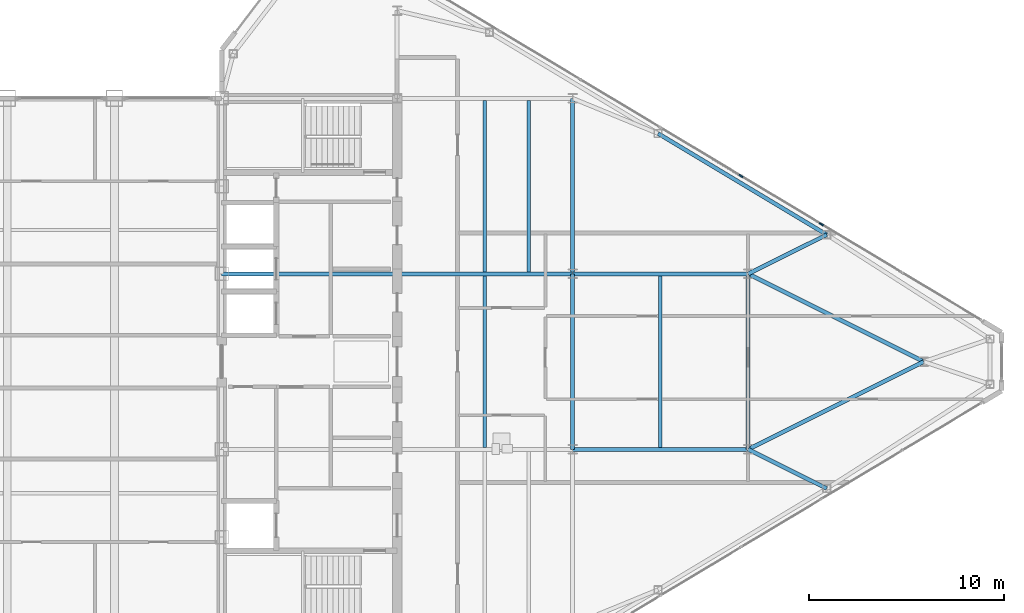
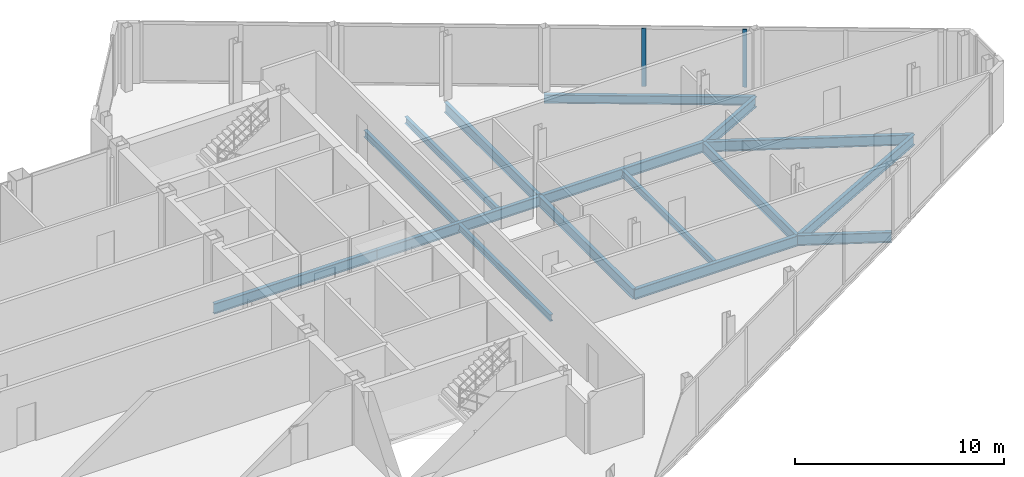
# One storey, part 15 of 29: 16 beams, 2 members, 1 element without a shape of its own.
"""IFC4 building model written with IfcOpenShell, lengths in metres."""

from ifc_helpers import new_model, si_unit, direction, frame, origin, origin_2d, place, context, subcontext, project, spatial, rectangle, i_section, extrude, source, transform, mapped, material, layer, layer_set, material_profile, profile_set, type_object, type_shapes, element, aggregate, save


model = new_model("IFC4")

# Units and contexts
model_context = context("Model", 3, precision=1e-05, world=origin(), true_north=direction((0.0, 1.0)))
body_context = subcontext(model_context, "Body", "Model", "MODEL_VIEW")
ifc_project = project(units=[si_unit("LENGTHUNIT", "METRE"), si_unit("AREAUNIT", "SQUARE_METRE"), si_unit("VOLUMEUNIT", "CUBIC_METRE"), si_unit("PLANEANGLEUNIT", "RADIAN"), si_unit("MASSUNIT", "GRAM", prefix="KILO")], contexts=[model_context])

# Site, building, storey
site_placement = place(None, origin())
site = spatial("IfcSite", under=ifc_project, at=site_placement, CompositionType="ELEMENT")
building_placement = place(site_placement, origin())
building = spatial("IfcBuilding", under=site, at=building_placement, Name="Seokmaru Belvedere", CompositionType="ELEMENT")
storey_placement = place(building_placement, frame((0.0, 0.0, 243.14990234375)))
storey = spatial("IfcBuildingStorey", under=building, at=storey_placement, Name="L64", CompositionType="ELEMENT", Elevation=243.14990234375)

# Beams
ifc_material_1 = material(Name="Steel SM355 (355 MPa)", Category="steel")
ifc_material_profile_1 = material_profile(ifc_material_1, i_section(OverallWidth=0.199951171875, OverallDepth=0.60009765625, WebThickness=0.010986328125, FlangeThickness=0.01708984375, at=origin_2d()), Name="H-600x200x11x17")
ifc_profile_set_1 = profile_set([ifc_material_profile_1], Name="Steel SM355 (355 MPa)")
beam_type_1 = type_object("IfcBeamType", Name="Primary Floor Girder H-600", PredefinedType="BEAM", material=ifc_profile_set_1)
shared_shape_1 = source(origin(), body_context, "Body", "SweptSolid", [
    extrude(i_section(OverallWidth=0.199951171875, OverallDepth=0.60009765625, WebThickness=0.010986328125, FlangeThickness=0.01708984375, at=origin_2d()), origin(), (0.0, 0.0, 1.0), 9.0),
])
for number, where, z_axis, x_axis, name in (
    (1, (45.5, -4.5, -0.52001953125), (0.0, 1.0, 0.0), (-1.0, 0.0, 0.0), "L64 E Interior Grid Girder 2"),
    (2, (45.5, 4.5, -0.52001953125), (0.0, 1.0, 0.0), (-1.0, 0.0, 0.0), "L64 E Interior Grid Girder 3"),
    (3, (27.5, 4.5, -0.52001953125), (1.0, 0.0, 0.0), (0.0, 1.0, 0.0), "L64 E Core Tie Girder 3"),
    (4, (36.5, 4.5, -0.52001953125), (1.0, 0.0, 0.0), (0.0, 1.0, 0.0), "L64 E Wing Primary Girder 3"),
    (5, (45.5, -4.5, -0.52001953125), (1.0, 0.0, 0.0), (0.0, 1.0, 0.0), "L64 E Outer Wing Girder 1"),
    (6, (45.5, 4.5, -0.52001953125), (1.0, 0.0, 0.0), (0.0, 1.0, 0.0), "L64 E Outer Wing Girder 2"),
    (7, (54.5, -4.5, -0.52001953125), (0.0, 1.0, 0.0), (-1.0, 0.0, 0.0), "L64 E Apex Frame Girder"),
):
    element("IfcBeam", number, at=place(storey_placement, frame(where, z_axis=z_axis, x_axis=x_axis)), inside=storey, type_object=beam_type_1, Name=name, PredefinedType="BEAM", context=body_context, shape_type="MappedRepresentation", body=[
        mapped(shared_shape_1, transform((0.0, 0.0, 0.0), scale=1.0)),
    ])
shared_shape_2 = source(origin(), body_context, "Body", "SweptSolid", [
    extrude(i_section(OverallWidth=0.199951171875, OverallDepth=0.60009765625, WebThickness=0.010986328125, FlangeThickness=0.01708984375, at=origin_2d()), origin(), (0.0, 0.0, 1.0), 10.062255859375),
])
for number, where, z_axis, x_axis, name in (
    (8, (54.5, -4.5, -0.52001953125), (0.894427191, 0.4472135955, 0.0), (-0.4472135955, 0.894427191, 0.0), "L64 E Apex Converging Girder 1"),
    (9, (54.5, 4.5, -0.52001953125), (0.894427191, -0.4472135955, 0.0), (0.4472135955, 0.894427191, 0.0), "L64 E Apex Converging Girder 2"),
):
    element("IfcBeam", number, at=place(storey_placement, frame(where, z_axis=z_axis, x_axis=x_axis)), inside=storey, type_object=beam_type_1, Name=name, PredefinedType="BEAM", context=body_context, shape_type="MappedRepresentation", body=[
        mapped(shared_shape_2, transform((0.0, 0.0, 0.0), scale=1.0)),
    ])
ifc_material_profile_2 = material_profile(ifc_material_1, i_section(OverallWidth=0.18505859375, OverallDepth=0.389892578125, WebThickness=0.008056640625, FlangeThickness=0.011962890625, at=origin_2d()), Name="H-390x185x8x12")
ifc_profile_set_2 = profile_set([ifc_material_profile_2], Name="Steel SM355 (355 MPa)")
beam_type_2 = type_object("IfcBeamType", Name="Secondary Floor Joist H-350", PredefinedType="JOIST", material=ifc_profile_set_2)
shared_shape_3 = source(origin(), body_context, "Body", "SweptSolid", [
    extrude(i_section(OverallWidth=0.18505859375, OverallDepth=0.389892578125, WebThickness=0.008056640625, FlangeThickness=0.011962890625, at=origin_2d()), origin(), (0.0, 0.0, 1.0), 8.7900390625),
])
type_shapes(beam_type_2, [shared_shape_3])
for number, where, z_axis, x_axis, name in (
    (10, (43.25, 4.60498046875, -0.414794921875), (0.0, 1.0, 0.0), (-1.0, 0.0, 0.0), "L64 E Wing Inner Secondary Joist 2"),
    (11, (41.0, -4.39501953125, -0.414794921875), (0.0, 1.0, 0.0), (-1.0, 0.0, 0.0), "L64 E Secondary Floor Joist 2"),
    (12, (41.0, 4.60498046875, -0.414794921875), (0.0, 1.0, 0.0), (-1.0, 0.0, 0.0), "L64 E Secondary Floor Joist 3"),
    (13, (50.0, -4.39501953125, -0.414794921875), (0.0, 1.0, 0.0), (-1.0, 0.0, 0.0), "L64 E Outer Bay Secondary Joist"),
):
    element("IfcBeam", number, at=place(storey_placement, frame(where, z_axis=z_axis, x_axis=x_axis)), inside=storey, type_object=beam_type_2, Name=name, PredefinedType="JOIST", context=body_context, shape_type="MappedRepresentation", body=[
        mapped(shared_shape_3, transform((0.0, 0.0, 0.0), scale=1.0)),
    ])
ifc_material_profile_3 = material_profile(ifc_material_1, i_section(OverallWidth=0.199951171875, OverallDepth=0.5, WebThickness=0.010009765625, FlangeThickness=0.01611328125, at=origin_2d()), Name="H-500x200x10x16")
ifc_profile_set_3 = profile_set([ifc_material_profile_3], Name="Steel SM355 (355 MPa)")
beam_type_3 = type_object("IfcBeamType", Name="Perimeter Spandrel Beam H-500", PredefinedType="SPANDREL", material=ifc_profile_set_3)
shared_shape_4 = source(origin(), body_context, "Body", "SweptSolid", [
    extrude(i_section(OverallWidth=0.199951171875, OverallDepth=0.5, WebThickness=0.010009765625, FlangeThickness=0.01611328125, at=origin_2d()), origin(), (0.0, 0.0, 1.0), 10.087646484375),
])
type_shapes(beam_type_3, [shared_shape_4])
beam_placement = place(storey_placement, frame((49.8798828125, 11.698974609375, -0.469970703125), z_axis=(0.857488654804, -0.514502873542, 0.0), x_axis=(0.514502873542, 0.857488654804, 0.0)))
element("IfcBeam", 14, at=beam_placement, inside=storey, type_object=beam_type_3, Name="L64 E Faceted Flank Spandrel N-3", PredefinedType="SPANDREL", context=body_context, shape_type="MappedRepresentation", body=[
    mapped(shared_shape_4, transform((0.0, 0.0, 0.0), scale=1.0)),
])
shared_shape_5 = source(origin(), body_context, "Body", "SweptSolid", [
    extrude(i_section(OverallWidth=0.199951171875, OverallDepth=0.60009765625, WebThickness=0.010986328125, FlangeThickness=0.01708984375, at=origin_2d()), origin(), (0.0, 0.0, 1.0), 4.5029296875),
])
type_shapes(beam_type_1, [shared_shape_1, shared_shape_2, shared_shape_5])
for number, where, z_axis, x_axis, name in (
    (15, (58.530029296875, -6.5087890625, -0.52001953125), (-0.894979532585, 0.446107202648, 0.0), (-0.446107202648, -0.894979532585, 0.0), "L64 E Flank Radial Floor Girder S-3"),
    (16, (58.530029296875, 6.5087890625, -0.52001953125), (-0.894979532585, -0.446107202648, 0.0), (0.446107202648, -0.894979532585, 0.0), "L64 E Flank Radial Floor Girder N-3"),
):
    element("IfcBeam", number, at=place(storey_placement, frame(where, z_axis=z_axis, x_axis=x_axis)), inside=storey, type_object=beam_type_1, Name=name, PredefinedType="BEAM", context=body_context, shape_type="MappedRepresentation", body=[
        mapped(shared_shape_5, transform((0.0, 0.0, 0.0), scale=1.0)),
    ])

# Curtain wall, members
ifc_material_2 = material(Name="Bronze Triple Insulating Glass", Category="glass")
ifc_layer = layer(ifc_material_2, 0.219970703125)
ifc_layer_set = layer_set([ifc_layer], Name="Bronze Triple Insulating Glass")
curtain_wall_type = type_object("IfcCurtainWallType", Name="Sky-Gate Bridge Panorama Curtain Wall System CW-6", PredefinedType="NOTDEFINED", material=ifc_layer_set)
curtain_wall_placement = place(storey_placement, origin())
curtain_wall = element("IfcCurtainWall", 17, at=curtain_wall_placement, inside=storey, type_object=curtain_wall_type, Name="L64 Curtain Wall EF3", PredefinedType="NOTDEFINED")
ifc_material_3 = material(Name="Anodised Bronze Aluminium", Category="aluminium")
ifc_material_profile_4 = material_profile(ifc_material_3, rectangle(XDim=0.080078125, YDim=0.219970703125, at=origin_2d()), Name="CW-M-80x220")
ifc_profile_set_4 = profile_set([ifc_material_profile_4], Name="Anodised Bronze Aluminium")
member_type = type_object("IfcMemberType", Name="Bronze Unitised Mullion 80x220", PredefinedType="MULLION", material=ifc_profile_set_4)
shared_shape_6 = source(origin(), body_context, "Body", "SweptSolid", [
    extrude(rectangle(XDim=0.080078125, YDim=0.219970703125, at=origin_2d()), origin(), (0.0, 0.0, 1.0), 3.3798828125),
])
type_shapes(member_type, [shared_shape_6])
member_1_placement = place(storey_placement, frame((58.257080078125, 7.0458984375, 0.0751953125), z_axis=(0.0, 0.0, 1.0), x_axis=(-0.514494909364, -0.85749343335, 0.0)))
member_1 = element("IfcMember", 18, at=member_1_placement, type_object=member_type, Name="CW:L64:EF3 Mullion 3", PredefinedType="MULLION", context=body_context, shape_type="MappedRepresentation", body=[
    mapped(shared_shape_6, transform((0.0, 0.0, 0.0), scale=1.0)),
])
member_2_placement = place(storey_placement, frame((54.12841796875, 9.52294921875, 0.0751953125), z_axis=(0.0, 0.0, 1.0), x_axis=(-0.514494909364, -0.85749343335, 0.0)))
member_2 = element("IfcMember", 19, at=member_2_placement, type_object=member_type, Name="CW:L64:EF3 Mullion 4", PredefinedType="MULLION", context=body_context, shape_type="MappedRepresentation", body=[
    mapped(shared_shape_6, transform((0.0, 0.0, 0.0), scale=1.0)),
])
aggregate(curtain_wall, [member_1, member_2])

save(model, "model.ifc")
